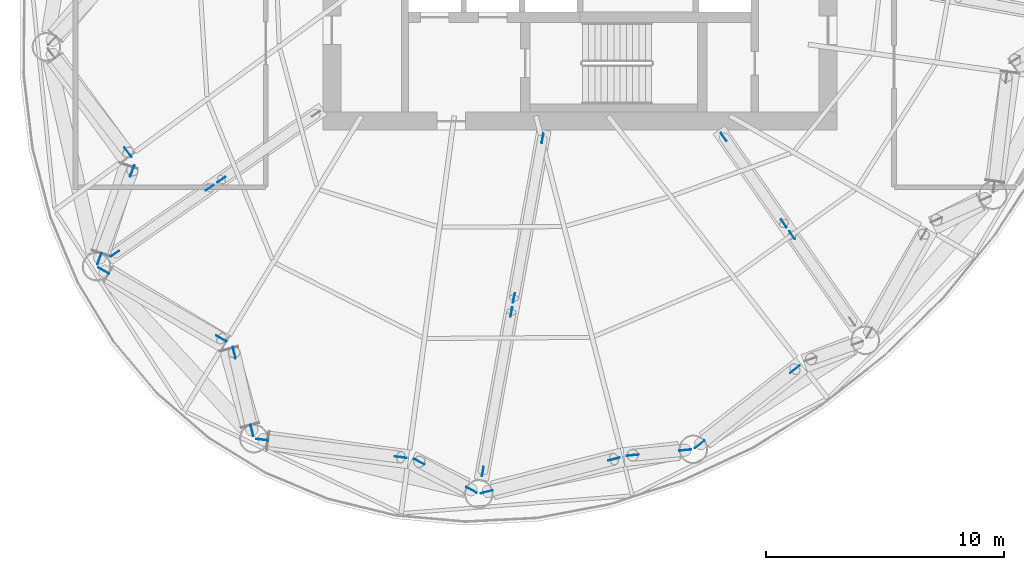
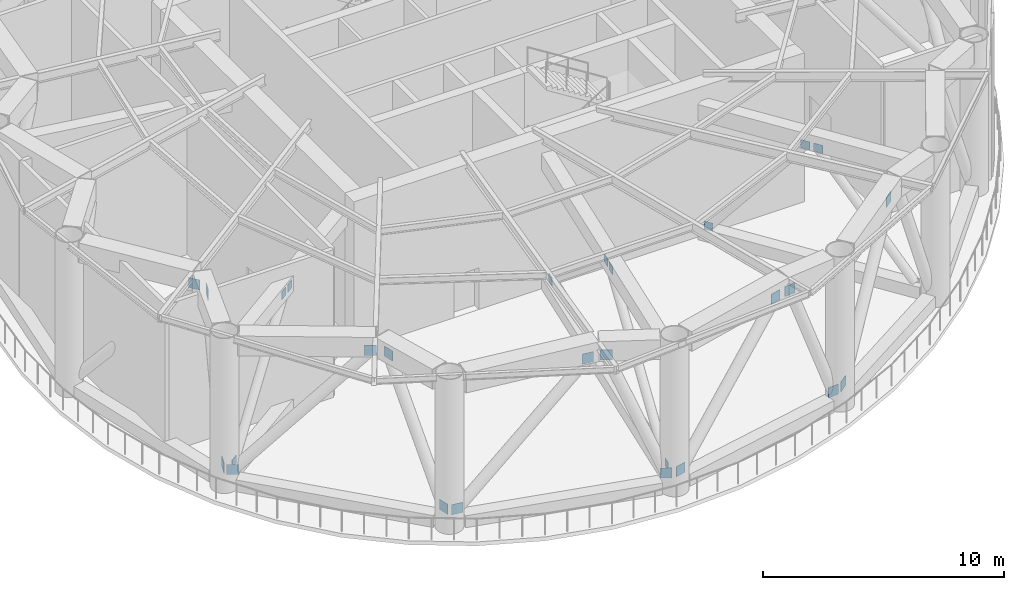
# One storey, part 8 of 15: 27 discrete accessories.
"""IFC4 building model written with IfcOpenShell, lengths in metres."""

from ifc_helpers import new_model, si_unit, direction, frame, origin, origin_2d, place, context, subcontext, project, spatial, rectangle, extrude, element, save


model = new_model("IFC4")

# Units and contexts
model_context = context("Model", 3, precision=1e-05, world=origin(), true_north=direction((0.0, 1.0)))
body_context = subcontext(model_context, "Body", "Model", "MODEL_VIEW")
ifc_project = project(units=[si_unit("LENGTHUNIT", "METRE"), si_unit("AREAUNIT", "SQUARE_METRE"), si_unit("VOLUMEUNIT", "CUBIC_METRE"), si_unit("PLANEANGLEUNIT", "RADIAN"), si_unit("MASSUNIT", "GRAM", prefix="KILO")], contexts=[model_context])

# Site, building, storey
site_placement = place(None, origin())
site = spatial("IfcSite", under=ifc_project, at=site_placement, CompositionType="ELEMENT")
building_placement = place(site_placement, origin())
building = spatial("IfcBuilding", under=site, at=building_placement, Name="Vermilion Reach Broadcast Tower", CompositionType="ELEMENT")
storey_placement = place(building_placement, frame((0.0, 0.0, 246.10009765625)))
storey = spatial("IfcBuildingStorey", under=building, at=storey_placement, Name="L61", CompositionType="ELEMENT", Elevation=246.10009765625)

# Discrete accessories
for number, where, z_axis, x_axis, name in (
    (1, (-24.994384765625, -9.330322265625, 6.5859375), (0.0, 0.0, 1.0), (0.790679224452, 0.612230646097, 0.0), "Gusset plate BT4-D07A head"),
    (2, (-26.19580078125, -13.809326171875, 0.5458984375), (0.0, 0.0, 1.0), (-0.936985043694, 0.349369471898, 0.0), "Gusset plate BT4-D07B foot"),
    (3, (-24.816650390625, -10.1103515625, 6.5859375), (0.0, 0.0, 1.0), (-0.936985043694, 0.349369471898, 0.0), "Gusset plate BT4-D07B head"),
    (4, (-26.014892578125, -14.31201171875, 0.5458984375), (0.0, 0.0, 1.0), (0.499329996422, 0.866411885118, 0.0), "Gusset plate BT4-D08A foot"),
    (5, (-21.069580078125, -17.162109375, 6.5859375), (0.0, 0.0, 1.0), (0.499329996422, 0.866411885118, 0.0), "Gusset plate BT4-D08A head"),
    (6, (-19.781494140625, -21.02880859375, 0.5458984375), (0.0, 0.0, 1.0), (-0.974900884412, -0.222639317222, 0.0), "Gusset plate BT4-D08B foot"),
    (7, (-20.529541015625, -17.75244140625, 6.5859375), (0.0, 0.0, 1.0), (-0.974900884412, -0.222639317222, 0.0), "Gusset plate BT4-D08B head"),
    (8, (-19.356201171875, -21.4140625, 0.5458984375), (0.0, 0.0, 1.0), (0.125564070397, 0.992085512557, 0.0), "Gusset plate BT4-D09A foot"),
    (9, (-13.52685546875, -22.15185546875, 6.5859375), (0.0, 0.0, 1.0), (0.125564070397, 0.992085512557, 0.0), "Gusset plate BT4-D09A head"),
    (10, (-10.557861328125, -23.52490234375, 0.5458984375), (0.0, 0.0, 1.0), (-0.474734823903, -0.880128880888, 0.0), "Gusset plate BT4-D09B foot"),
    (11, (-12.75, -22.342529296875, 6.5859375), (0.0, 0.0, 1.0), (-0.474734823903, -0.880128880888, 0.0), "Gusset plate BT4-D09B head"),
    (12, (-9.910888671875, -23.60400390625, 0.5458984375), (0.0, 0.0, 1.0), (-0.248883674419, 0.968533384354, 0.0), "Gusset plate BT4-D10A foot"),
    (13, (-4.566650390625, -22.230712890625, 6.5859375), (0.0, 0.0, 1.0), (-0.248883674419, 0.968533384354, 0.0), "Gusset plate BT4-D10A head"),
    (14, (-1.5791015625, -21.852783203125, 0.5458984375), (0.0, 0.0, 1.0), (0.097228537295, -0.995262081833, 0.0), "Gusset plate BT4-D10B foot"),
    (15, (-3.783447265625, -22.068115234375, 6.5859375), (0.0, 0.0, 1.0), (0.097228537295, -0.995262081833, 0.0), "Gusset plate BT4-D10B head"),
    (16, (-0.9560546875, -21.60205078125, 0.5458984375), (0.0, 0.0, 1.0), (-0.619157237692, 0.785267034208, 0.0), "Gusset plate BT4-D11A foot"),
    (17, (3.0390625, -18.451904296875, 6.5859375), (0.0, 0.0, 1.0), (-0.619157237692, 0.785267034208, 0.0), "Gusset plate BT4-D11A head"),
):
    element("IfcDiscreteAccessory", number, at=place(storey_placement, frame(where, z_axis=z_axis, x_axis=x_axis)), inside=storey, Name=name, PredefinedType="NOTDEFINED", context=body_context, shape_type="SweptSolid", body=[
        extrude(rectangle(XDim=0.02490234375, YDim=0.508056640625, at=origin_2d()), origin(), (0.0, 0.0, 1.0), 0.508056640625),
    ])
for number, where, z_axis, x_axis, name in (
    (18, (-21.066650390625, -10.483154296875, 5.8466796875), (0.0, 0.0, 1.0), (0.57114342595, -0.820850282935, 0.0), "Gusset plate OR4-08-DA head"),
    (19, (-25.538330078125, -13.5947265625, 0.39697265625), (0.0, 0.0, 1.0), (0.57114342595, -0.820850282935, 0.0), "Gusset plate OR4-08-DB foot"),
    (20, (-21.55908203125, -10.825927734375, 5.8466796875), (0.0, 0.0, 1.0), (0.57114342595, -0.820850282935, 0.0), "Gusset plate OR4-08-DB head"),
    (21, (-7.568603515625, -8.744384765625, 0.39697265625), (0.0, 0.0, 1.0), (0.984288193448, -0.176569397796, 0.0), "Gusset plate OR4-10-DA foot"),
    (22, (-8.7724609375, -15.455078125, 5.8466796875), (0.0, 0.0, 1.0), (0.984288193448, -0.176569397796, 0.0), "Gusset plate OR4-10-DA head"),
    (23, (-10.08203125, -22.756103515625, 0.39697265625), (0.0, 0.0, 1.0), (0.984288193448, -0.176569397796, 0.0), "Gusset plate OR4-10-DB foot"),
    (24, (-8.87841796875, -16.04541015625, 5.8466796875), (0.0, 0.0, 1.0), (0.984288193448, -0.176569397796, 0.0), "Gusset plate OR4-10-DB head"),
    (25, (0.044677734375, -8.687255859375, 0.39697265625), (0.0, 0.0, 1.0), (0.820850278449, 0.571143432397, 0.0), "Gusset plate OR4-12-DA foot"),
    (26, (2.576416015625, -12.325927734375, 5.8466796875), (0.0, 0.0, 1.0), (0.820850278449, 0.571143432397, 0.0), "Gusset plate OR4-12-DA head"),
    (27, (2.9189453125, -12.818359375, 5.8466796875), (0.0, 0.0, 1.0), (0.820850278449, 0.571143432397, 0.0), "Gusset plate OR4-12-DB head"),
):
    element("IfcDiscreteAccessory", number, at=place(storey_placement, frame(where, z_axis=z_axis, x_axis=x_axis)), inside=storey, Name=name, PredefinedType="NOTDEFINED", context=body_context, shape_type="SweptSolid", body=[
        extrude(rectangle(XDim=0.02490234375, YDim=0.406005859375, at=origin_2d()), origin(), (0.0, 0.0, 1.0), 0.406005859375),
    ])

save(model, "model.ifc")
